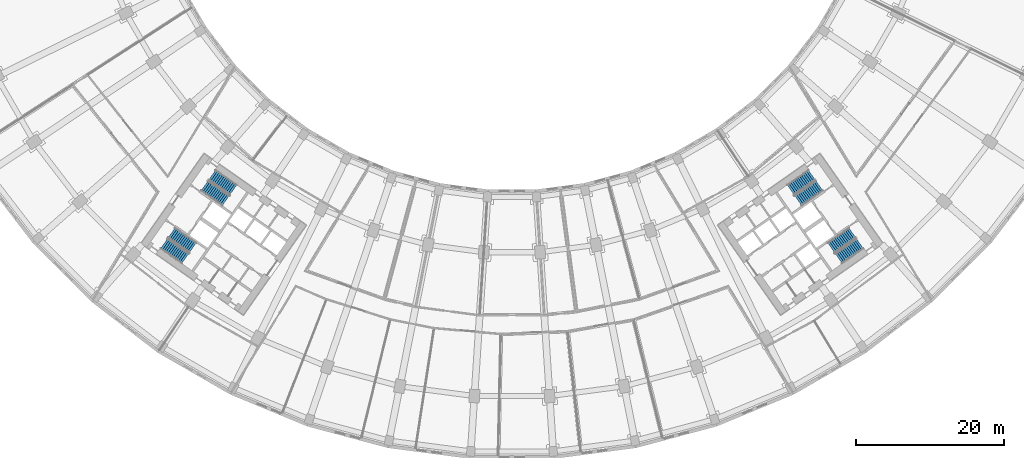
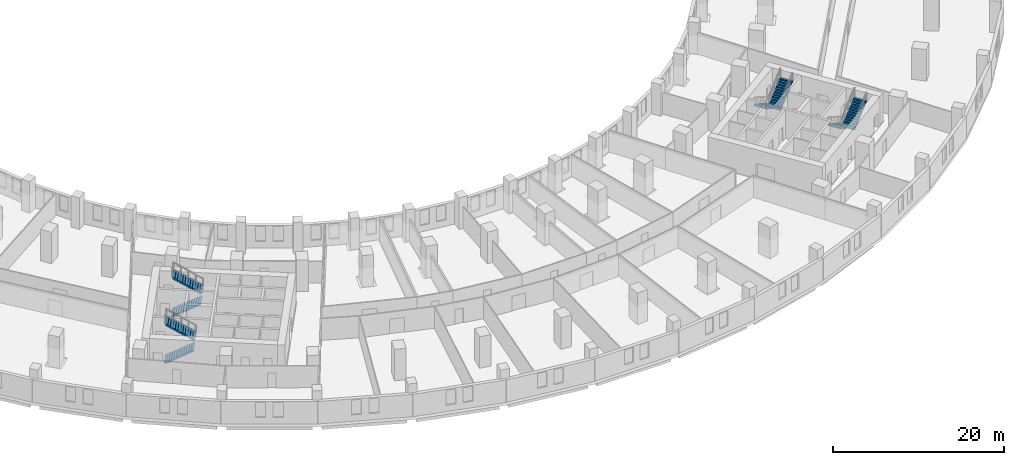
# One storey, part 14 of 20: 8 stair flights, 4 elements without a shape of their own.
"""IFC4 building model written with IfcOpenShell, lengths in metres."""

import ifcopenshell
import ifcopenshell.guid

model = None  # the IFC model being written
_history = None  # IfcOwnerHistory: only IFC2X3 demands one
_inside = {}  # id of a spatial element -> (the spatial element, [elements in it])
_under = {}  # id of a project, library or spatial element -> (it, [spatial elements below it])
_declared = {}  # id of a project -> (the project, [libraries it declares])
_typed = {}  # id of a type object -> (the type object, [elements of that type])
_made_of = {}  # id of a material, layer set ... -> (it, [elements and type objects made of it])


def new_model(schema):
    """Start an empty IFC model of exactly this schema.

    Asked for "IFC4X3", IfcOpenShell would pick the latest addendum, in which some entities
    have other attributes; the version numbers below select the first issue.
    IFC2X3 requires an IfcOwnerHistory on every rooted entity: one is made here for all.
    """
    global model, _history
    if schema == "IFC4X3":
        model = ifcopenshell.file(schema_version=(4, 3, 0, 0))
    else:
        model = ifcopenshell.file(schema=schema)
    _inside.clear()
    _under.clear()
    _declared.clear()
    _typed.clear()
    _made_of.clear()
    _history = None
    if model.schema == "IFC2X3":
        org = make("IfcOrganization", Name="unknown")
        user = make(
            "IfcPersonAndOrganization",
            ThePerson=make("IfcPerson", FamilyName="unknown"),
            TheOrganization=org,
        )
        app = make(
            "IfcApplication",
            ApplicationDeveloper=org,
            Version="unknown",
            ApplicationFullName="unknown",
            ApplicationIdentifier="unknown",
        )
        _history = make(
            "IfcOwnerHistory",
            OwningUser=user,
            OwningApplication=app,
            ChangeAction="ADDED",
            CreationDate=0,
        )
    return model


def make(cls, **values):
    """One entity of the class cls with the attributes given. An attribute that is None is left unset."""
    return model.create_entity(
        cls, **{name: value for name, value in values.items() if value is not None}
    )


def rooted(cls, **values):
    """An entity with a GlobalId (a new one), such as an element, a storey or a relation."""
    return make(cls, GlobalId=ifcopenshell.guid.new(), OwnerHistory=_history, **values)


def si_unit(unit_type, name, prefix=None):
    """IfcSIUnit, for example si_unit("LENGTHUNIT", "METRE", prefix="MILLI")."""
    return make("IfcSIUnit", UnitType=unit_type, Prefix=prefix, Name=name)


def assignment(units):
    """IfcUnitAssignment: the units of a project."""
    return None if units is None else make("IfcUnitAssignment", Units=units)


def point(xyz):
    """IfcCartesianPoint."""
    return None if xyz is None else make("IfcCartesianPoint", Coordinates=xyz)


def direction(xyz):
    """IfcDirection."""
    return None if xyz is None else make("IfcDirection", DirectionRatios=xyz)


def frame(location, z_axis=None, x_axis=None):
    """IfcAxis2Placement3D, a coordinate frame: its origin and axes. An axis left out is left unset."""
    return make(
        "IfcAxis2Placement3D",
        Location=point(location),
        Axis=direction(z_axis),
        RefDirection=direction(x_axis),
    )


def origin():
    """The frame at (0, 0, 0) with its axes left unset."""
    return frame((0.0, 0.0, 0.0))


def place(relative_to, where):
    """IfcLocalPlacement: puts the frame where relative to a parent placement (None: the world)."""
    return make(
        "IfcLocalPlacement", PlacementRelTo=relative_to, RelativePlacement=where
    )


def context(
    kind, dimensions, precision=None, world=None, true_north=None, identifier=None
):
    """IfcGeometricRepresentationContext, for example the 3D "Model" context."""
    return make(
        "IfcGeometricRepresentationContext",
        ContextIdentifier=identifier,
        ContextType=kind,
        CoordinateSpaceDimension=dimensions,
        Precision=precision,
        WorldCoordinateSystem=world,
        TrueNorth=true_north,
    )


def subcontext(parent, identifier, kind, view, scale=None):
    """IfcGeometricRepresentationSubContext, for example "Body" below "Model"."""
    return make(
        "IfcGeometricRepresentationSubContext",
        ContextIdentifier=identifier,
        ContextType=kind,
        ParentContext=parent,
        TargetScale=scale,
        TargetView=view,
    )


def project(units=None, contexts=None):
    """IfcProject with its units and contexts."""
    return rooted(
        "IfcProject",
        Name="project",
        RepresentationContexts=contexts,
        UnitsInContext=assignment(units),
    )


def spatial(cls, under=None, at=None, **own):
    """A site, building, storey or space (cls), placed at a placement, below another one or the project."""
    s = rooted(cls, ObjectPlacement=at, **own)
    if under is not None:
        _under.setdefault(under.id(), (under, []))[1].append(s)
    return s


def polyline(points):
    """IfcPolyline through the points."""
    return make("IfcPolyline", Points=[point(p) for p in points])


def outline(outer, holes=None, kind="AREA"):
    """IfcArbitraryClosedProfileDef: a profile drawn as a closed curve; with holes, ...WithVoids."""
    if holes is None:
        return make("IfcArbitraryClosedProfileDef", ProfileType=kind, OuterCurve=outer)
    return make(
        "IfcArbitraryProfileDefWithVoids",
        ProfileType=kind,
        OuterCurve=outer,
        InnerCurves=holes,
    )


def extrude(swept, where, along, depth):
    """IfcExtrudedAreaSolid: the profile swept, set in the frame where, extruded along a direction by depth."""
    return make(
        "IfcExtrudedAreaSolid",
        SweptArea=swept,
        Position=where,
        ExtrudedDirection=direction(along),
        Depth=depth,
    )


def shape(context_of_items, identifier, shape_type, items):
    """IfcShapeRepresentation: the items that make up one representation, for example the "Body"."""
    return make(
        "IfcShapeRepresentation",
        ContextOfItems=context_of_items,
        RepresentationIdentifier=identifier,
        RepresentationType=shape_type,
        Items=items,
    )


def material(Name=None, Category=None):
    """IfcMaterial."""
    return make("IfcMaterial", Name=Name, Category=Category)


def made_of(thing, what):
    """Note that an element or type object is made of a material, layer set ...; save() writes the relation."""
    if what is not None:
        _made_of.setdefault(what.id(), (what, []))[1].append(thing)
    return thing


def type_object(cls, material=None, **own):
    """A type object (cls), such as IfcWallType, which elements share."""
    return made_of(rooted(cls, **own), material)


def element(
    cls,
    number,
    at=None,
    inside=None,
    cuts=None,
    type_object=None,
    material=None,
    context=None,
    identifier="Body",
    shape_type=None,
    held_by="IfcProductDefinitionShape",
    body=None,
    shapes=None,
    **own,
):
    """One element of the class cls, such as IfcWall. Its Tag is "e" and its number.

    at: its placement. inside: the storey or other place that contains it. cuts: it is an
    opening in that element (IfcRelVoidsElement). A single representation is given by context,
    identifier, shape_type and body (its items); several are given by shapes. held_by: the class
    of the entity that holds the representations. save() writes the other relations.
    """
    e = rooted(cls, Tag="e%d" % number, ObjectPlacement=at, **own)
    if body is not None:
        shapes = [shape(context, identifier, shape_type, body)]
    if shapes is not None:
        e.Representation = make(held_by, Representations=shapes)
    if inside is not None:
        _inside.setdefault(inside.id(), (inside, []))[1].append(e)
    if cuts is not None:
        rooted(
            "IfcRelVoidsElement", RelatingBuildingElement=cuts, RelatedOpeningElement=e
        )
    if type_object is not None:
        _typed.setdefault(type_object.id(), (type_object, []))[1].append(e)
    return made_of(e, material)


def aggregate(whole, parts):
    """IfcRelAggregates: a whole, such as a stair, and the parts it consists of."""
    return rooted("IfcRelAggregates", RelatingObject=whole, RelatedObjects=parts)


def save(model, path):
    """Write the relations noted so far, then the file.

    IfcRelAggregates (storeys below a building ...), IfcRelContainedInSpatialStructure (elements
    in a storey), IfcRelDefinesByType, IfcRelAssociatesMaterial and IfcRelDeclares: one each for
    every whole, place, type object, material and project.
    """
    for whole, parts in _under.values():
        aggregate(whole, parts)
    for where, things in _inside.values():
        rooted(
            "IfcRelContainedInSpatialStructure",
            RelatedElements=things,
            RelatingStructure=where,
        )
    for kind, things in _typed.values():
        rooted("IfcRelDefinesByType", RelatedObjects=things, RelatingType=kind)
    for what, things in _made_of.values():
        rooted("IfcRelAssociatesMaterial", RelatedObjects=things, RelatingMaterial=what)
    for by, libraries in _declared.values():
        rooted("IfcRelDeclares", RelatingContext=by, RelatedDefinitions=libraries)
    model.write(path)


model = new_model("IFC4")

# Units and contexts
model_context = context("Model", 3, precision=1e-05, world=origin(), true_north=direction((0.0, 1.0)))
body_context = subcontext(model_context, "Body", "Model", "MODEL_VIEW")
ifc_project = project(units=[si_unit("LENGTHUNIT", "METRE"), si_unit("AREAUNIT", "SQUARE_METRE"), si_unit("VOLUMEUNIT", "CUBIC_METRE"), si_unit("PLANEANGLEUNIT", "RADIAN"), si_unit("MASSUNIT", "GRAM", prefix="KILO")], contexts=[model_context])

# Site, building, storey
site_placement = place(None, origin())
site = spatial("IfcSite", under=ifc_project, at=site_placement, CompositionType="ELEMENT")
building_placement = place(site_placement, origin())
building = spatial("IfcBuilding", under=site, at=building_placement, Name="Qamariyya Broadcast Tower", CompositionType="ELEMENT")
storey_placement = place(building_placement, frame((0.0, 0.0, 31.5)))
storey = spatial("IfcBuildingStorey", under=building, at=storey_placement, Name="L04", CompositionType="ELEMENT", Elevation=31.5)

# Stair, stair flights
ifc_material = material(Name="Concrete C50/60", Category="concrete")
stair_type = type_object("IfcStairType", Name="Exit stair 26 risers of 173 mm", PredefinedType="HALF_TURN_STAIR", material=ifc_material)
stair_1_placement = place(storey_placement, origin())
stair_1 = element("IfcStair", 1, at=stair_1_placement, inside=storey, type_object=stair_type, Name="L04 Stair W2", PredefinedType="HALF_TURN_STAIR")
stair_flight_type = type_object("IfcStairFlightType", Name="Exit stair flight 13 risers of 173 mm", PredefinedType="STRAIGHT", material=ifc_material)
stair_flight_1_placement = place(storey_placement, frame((-41.59130859375, -49.15966796875, 0.0), z_axis=(0.0, 0.0, 1.0), x_axis=(0.819152044289, -0.573576436351, 0.0)))
stair_flight_1 = element("IfcStairFlight", 2, at=stair_flight_1_placement, type_object=stair_flight_type, Name="ST-W2 flight 1", NumberOfRisers=13, NumberOfTreads=12, PredefinedType="STRAIGHT", RiserHeight=0.173076923, TreadLength=0.29, context=body_context, shape_type="SweptSolid", body=[
    extrude(outline(polyline([(0.0, 0.0), (0.0, 0.173095703125), (0.2900390625, 0.173095703125), (0.2900390625, 0.34619140625), (0.580078125, 0.34619140625), (0.580078125, 0.519287109375), (0.8701171875, 0.519287109375), (0.8701171875, 0.6923828125), (1.159912109375, 0.6923828125), (1.159912109375, 0.865478515625), (1.449951171875, 0.865478515625), (1.449951171875, 1.03857421875), (1.739990234375, 1.03857421875), (1.739990234375, 1.21142578125), (2.030029296875, 1.21142578125), (2.030029296875, 1.384521484375), (2.320068359375, 1.384521484375), (2.320068359375, 1.5576171875), (2.610107421875, 1.5576171875), (2.610107421875, 1.730712890625), (2.89990234375, 1.730712890625), (2.89990234375, 1.90380859375), (3.18994140625, 1.90380859375), (3.18994140625, 2.076904296875), (3.47998046875, 2.076904296875), (3.47998046875, 2.25), (3.47998046875, 1.90234375), (0.29248046875, 0.0), (0.0, 0.0)])), frame((0.0, 0.824951171875, 0.0), z_axis=(0.0, -1.0, 0.0), x_axis=(1.0, 0.0, 0.0)), (0.0, 0.0, 1.0), 1.64990234375),
])
stair_flight_2_placement = place(storey_placement, frame((-37.7080078125, -49.681396484375, 2.25), z_axis=(0.0, 0.0, 1.0), x_axis=(-0.819152044289, 0.573576436351, 0.0)))
stair_flight_2 = element("IfcStairFlight", 3, at=stair_flight_2_placement, type_object=stair_flight_type, Name="ST-W2 flight 2", NumberOfRisers=13, NumberOfTreads=12, PredefinedType="STRAIGHT", RiserHeight=0.173076923, TreadLength=0.29, context=body_context, shape_type="SweptSolid", body=[
    extrude(outline(polyline([(0.0, 0.0), (0.0, 0.173095703125), (0.2900390625, 0.173095703125), (0.2900390625, 0.34619140625), (0.580078125, 0.34619140625), (0.580078125, 0.519287109375), (0.8701171875, 0.519287109375), (0.8701171875, 0.6923828125), (1.159912109375, 0.6923828125), (1.159912109375, 0.865478515625), (1.449951171875, 0.865478515625), (1.449951171875, 1.03857421875), (1.739990234375, 1.03857421875), (1.739990234375, 1.21142578125), (2.030029296875, 1.21142578125), (2.030029296875, 1.384521484375), (2.320068359375, 1.384521484375), (2.320068359375, 1.5576171875), (2.610107421875, 1.5576171875), (2.610107421875, 1.730712890625), (2.89990234375, 1.730712890625), (2.89990234375, 1.90380859375), (3.18994140625, 1.90380859375), (3.18994140625, 2.076904296875), (3.47998046875, 2.076904296875), (3.47998046875, 2.25), (3.47998046875, 1.90234375), (0.29248046875, 0.0), (0.0, 0.0)])), frame((0.0, 0.824951171875, 0.0), z_axis=(0.0, -1.0, 0.0), x_axis=(1.0, 0.0, 0.0)), (0.0, 0.0, 1.0), 1.64990234375),
])
aggregate(stair_1, [stair_flight_1, stair_flight_2])

stair_2_placement = place(storey_placement, origin())
stair_2 = element("IfcStair", 4, at=stair_2_placement, inside=storey, type_object=stair_type, Name="L04 Stair W1", PredefinedType="HALF_TURN_STAIR")
stair_flight_3_placement = place(storey_placement, frame((-47.06884765625, -56.982666015625, 0.0), z_axis=(0.0, 0.0, 1.0), x_axis=(0.819152044289, -0.573576436351, 0.0)))
stair_flight_3 = element("IfcStairFlight", 5, at=stair_flight_3_placement, type_object=stair_flight_type, Name="ST-W1 flight 1", NumberOfRisers=13, NumberOfTreads=12, PredefinedType="STRAIGHT", RiserHeight=0.173076923, TreadLength=0.29, context=body_context, shape_type="SweptSolid", body=[
    extrude(outline(polyline([(0.0, 0.0), (0.0, 0.173095703125), (0.2900390625, 0.173095703125), (0.2900390625, 0.34619140625), (0.580078125, 0.34619140625), (0.580078125, 0.519287109375), (0.8701171875, 0.519287109375), (0.8701171875, 0.6923828125), (1.159912109375, 0.6923828125), (1.159912109375, 0.865478515625), (1.449951171875, 0.865478515625), (1.449951171875, 1.03857421875), (1.739990234375, 1.03857421875), (1.739990234375, 1.21142578125), (2.030029296875, 1.21142578125), (2.030029296875, 1.384521484375), (2.320068359375, 1.384521484375), (2.320068359375, 1.5576171875), (2.610107421875, 1.5576171875), (2.610107421875, 1.730712890625), (2.89990234375, 1.730712890625), (2.89990234375, 1.90380859375), (3.18994140625, 1.90380859375), (3.18994140625, 2.076904296875), (3.47998046875, 2.076904296875), (3.47998046875, 2.25), (3.47998046875, 1.90234375), (0.29248046875, 0.0), (0.0, 0.0)])), frame((0.0, 0.824951171875, 0.0), z_axis=(0.0, -1.0, 0.0), x_axis=(1.0, 0.0, 0.0)), (0.0, 0.0, 1.0), 1.64990234375),
])
stair_flight_4_placement = place(storey_placement, frame((-43.185791015625, -57.504150390625, 2.25), z_axis=(0.0, 0.0, 1.0), x_axis=(-0.819152044289, 0.573576436351, 0.0)))
stair_flight_4 = element("IfcStairFlight", 6, at=stair_flight_4_placement, type_object=stair_flight_type, Name="ST-W1 flight 2", NumberOfRisers=13, NumberOfTreads=12, PredefinedType="STRAIGHT", RiserHeight=0.173076923, TreadLength=0.29, context=body_context, shape_type="SweptSolid", body=[
    extrude(outline(polyline([(0.0, 0.0), (0.0, 0.173095703125), (0.2900390625, 0.173095703125), (0.2900390625, 0.34619140625), (0.580078125, 0.34619140625), (0.580078125, 0.519287109375), (0.8701171875, 0.519287109375), (0.8701171875, 0.6923828125), (1.159912109375, 0.6923828125), (1.159912109375, 0.865478515625), (1.449951171875, 0.865478515625), (1.449951171875, 1.03857421875), (1.739990234375, 1.03857421875), (1.739990234375, 1.21142578125), (2.030029296875, 1.21142578125), (2.030029296875, 1.384521484375), (2.320068359375, 1.384521484375), (2.320068359375, 1.5576171875), (2.610107421875, 1.5576171875), (2.610107421875, 1.730712890625), (2.89990234375, 1.730712890625), (2.89990234375, 1.90380859375), (3.18994140625, 1.90380859375), (3.18994140625, 2.076904296875), (3.47998046875, 2.076904296875), (3.47998046875, 2.25), (3.47998046875, 1.90234375), (0.29248046875, 0.0), (0.0, 0.0)])), frame((0.0, 0.824951171875, 0.0), z_axis=(0.0, -1.0, 0.0), x_axis=(1.0, 0.0, 0.0)), (0.0, 0.0, 1.0), 1.64990234375),
])
aggregate(stair_2, [stair_flight_3, stair_flight_4])

stair_3_placement = place(storey_placement, origin())
stair_3 = element("IfcStair", 7, at=stair_3_placement, inside=storey, type_object=stair_type, Name="L04 Stair E2", PredefinedType="HALF_TURN_STAIR")
stair_flight_5_placement = place(storey_placement, frame((40.558837890625, -47.685302734375, 0.0), z_axis=(0.0, 0.0, 1.0), x_axis=(-0.819152044289, -0.573576436351, 0.0)))
stair_flight_5 = element("IfcStairFlight", 8, at=stair_flight_5_placement, type_object=stair_flight_type, Name="ST-E2 flight 1", NumberOfRisers=13, NumberOfTreads=12, PredefinedType="STRAIGHT", RiserHeight=0.173076923, TreadLength=0.29, context=body_context, shape_type="SweptSolid", body=[
    extrude(outline(polyline([(0.0, 0.0), (0.0, 0.173095703125), (0.2900390625, 0.173095703125), (0.2900390625, 0.34619140625), (0.580078125, 0.34619140625), (0.580078125, 0.519287109375), (0.8701171875, 0.519287109375), (0.8701171875, 0.6923828125), (1.159912109375, 0.6923828125), (1.159912109375, 0.865478515625), (1.449951171875, 0.865478515625), (1.449951171875, 1.03857421875), (1.739990234375, 1.03857421875), (1.739990234375, 1.21142578125), (2.030029296875, 1.21142578125), (2.030029296875, 1.384521484375), (2.320068359375, 1.384521484375), (2.320068359375, 1.5576171875), (2.610107421875, 1.5576171875), (2.610107421875, 1.730712890625), (2.89990234375, 1.730712890625), (2.89990234375, 1.90380859375), (3.18994140625, 1.90380859375), (3.18994140625, 2.076904296875), (3.47998046875, 2.076904296875), (3.47998046875, 2.25), (3.47998046875, 1.90234375), (0.29248046875, 0.0), (0.0, 0.0)])), frame((0.0, 0.824951171875, 0.0), z_axis=(0.0, -1.0, 0.0), x_axis=(1.0, 0.0, 0.0)), (0.0, 0.0, 1.0), 1.64990234375),
])
stair_flight_6_placement = place(storey_placement, frame((38.740478515625, -51.15576171875, 2.25), z_axis=(0.0, 0.0, 1.0), x_axis=(0.819152044289, 0.573576436351, 0.0)))
stair_flight_6 = element("IfcStairFlight", 9, at=stair_flight_6_placement, type_object=stair_flight_type, Name="ST-E2 flight 2", NumberOfRisers=13, NumberOfTreads=12, PredefinedType="STRAIGHT", RiserHeight=0.173076923, TreadLength=0.29, context=body_context, shape_type="SweptSolid", body=[
    extrude(outline(polyline([(0.0, 0.0), (0.0, 0.173095703125), (0.2900390625, 0.173095703125), (0.2900390625, 0.34619140625), (0.580078125, 0.34619140625), (0.580078125, 0.519287109375), (0.8701171875, 0.519287109375), (0.8701171875, 0.6923828125), (1.159912109375, 0.6923828125), (1.159912109375, 0.865478515625), (1.449951171875, 0.865478515625), (1.449951171875, 1.03857421875), (1.739990234375, 1.03857421875), (1.739990234375, 1.21142578125), (2.030029296875, 1.21142578125), (2.030029296875, 1.384521484375), (2.320068359375, 1.384521484375), (2.320068359375, 1.5576171875), (2.610107421875, 1.5576171875), (2.610107421875, 1.730712890625), (2.89990234375, 1.730712890625), (2.89990234375, 1.90380859375), (3.18994140625, 1.90380859375), (3.18994140625, 2.076904296875), (3.47998046875, 2.076904296875), (3.47998046875, 2.25), (3.47998046875, 1.90234375), (0.29248046875, 0.0), (0.0, 0.0)])), frame((0.0, 0.824951171875, 0.0), z_axis=(0.0, -1.0, 0.0), x_axis=(1.0, 0.0, 0.0)), (0.0, 0.0, 1.0), 1.64990234375),
])
aggregate(stair_3, [stair_flight_5, stair_flight_6])

stair_4_placement = place(storey_placement, origin())
stair_4 = element("IfcStair", 10, at=stair_4_placement, inside=storey, type_object=stair_type, Name="L04 Stair E1", PredefinedType="HALF_TURN_STAIR")
stair_flight_7_placement = place(storey_placement, frame((46.036376953125, -55.508056640625, 0.0), z_axis=(0.0, 0.0, 1.0), x_axis=(-0.819152044289, -0.573576436351, 0.0)))
stair_flight_7 = element("IfcStairFlight", 11, at=stair_flight_7_placement, type_object=stair_flight_type, Name="ST-E1 flight 1", NumberOfRisers=13, NumberOfTreads=12, PredefinedType="STRAIGHT", RiserHeight=0.173076923, TreadLength=0.29, context=body_context, shape_type="SweptSolid", body=[
    extrude(outline(polyline([(0.0, 0.0), (0.0, 0.173095703125), (0.2900390625, 0.173095703125), (0.2900390625, 0.34619140625), (0.580078125, 0.34619140625), (0.580078125, 0.519287109375), (0.8701171875, 0.519287109375), (0.8701171875, 0.6923828125), (1.159912109375, 0.6923828125), (1.159912109375, 0.865478515625), (1.449951171875, 0.865478515625), (1.449951171875, 1.03857421875), (1.739990234375, 1.03857421875), (1.739990234375, 1.21142578125), (2.030029296875, 1.21142578125), (2.030029296875, 1.384521484375), (2.320068359375, 1.384521484375), (2.320068359375, 1.5576171875), (2.610107421875, 1.5576171875), (2.610107421875, 1.730712890625), (2.89990234375, 1.730712890625), (2.89990234375, 1.90380859375), (3.18994140625, 1.90380859375), (3.18994140625, 2.076904296875), (3.47998046875, 2.076904296875), (3.47998046875, 2.25), (3.47998046875, 1.90234375), (0.29248046875, 0.0), (0.0, 0.0)])), frame((0.0, 0.824951171875, 0.0), z_axis=(0.0, -1.0, 0.0), x_axis=(1.0, 0.0, 0.0)), (0.0, 0.0, 1.0), 1.64990234375),
])
stair_flight_8_placement = place(storey_placement, frame((44.21826171875, -58.978759765625, 2.25), z_axis=(0.0, 0.0, 1.0), x_axis=(0.819152044289, 0.573576436351, 0.0)))
stair_flight_8 = element("IfcStairFlight", 12, at=stair_flight_8_placement, type_object=stair_flight_type, Name="ST-E1 flight 2", NumberOfRisers=13, NumberOfTreads=12, PredefinedType="STRAIGHT", RiserHeight=0.173076923, TreadLength=0.29, context=body_context, shape_type="SweptSolid", body=[
    extrude(outline(polyline([(0.0, 0.0), (0.0, 0.173095703125), (0.2900390625, 0.173095703125), (0.2900390625, 0.34619140625), (0.580078125, 0.34619140625), (0.580078125, 0.519287109375), (0.8701171875, 0.519287109375), (0.8701171875, 0.6923828125), (1.159912109375, 0.6923828125), (1.159912109375, 0.865478515625), (1.449951171875, 0.865478515625), (1.449951171875, 1.03857421875), (1.739990234375, 1.03857421875), (1.739990234375, 1.21142578125), (2.030029296875, 1.21142578125), (2.030029296875, 1.384521484375), (2.320068359375, 1.384521484375), (2.320068359375, 1.5576171875), (2.610107421875, 1.5576171875), (2.610107421875, 1.730712890625), (2.89990234375, 1.730712890625), (2.89990234375, 1.90380859375), (3.18994140625, 1.90380859375), (3.18994140625, 2.076904296875), (3.47998046875, 2.076904296875), (3.47998046875, 2.25), (3.47998046875, 1.90234375), (0.29248046875, 0.0), (0.0, 0.0)])), frame((0.0, 0.824951171875, 0.0), z_axis=(0.0, -1.0, 0.0), x_axis=(1.0, 0.0, 0.0)), (0.0, 0.0, 1.0), 1.64990234375),
])
aggregate(stair_4, [stair_flight_7, stair_flight_8])

save(model, "model.ifc")
